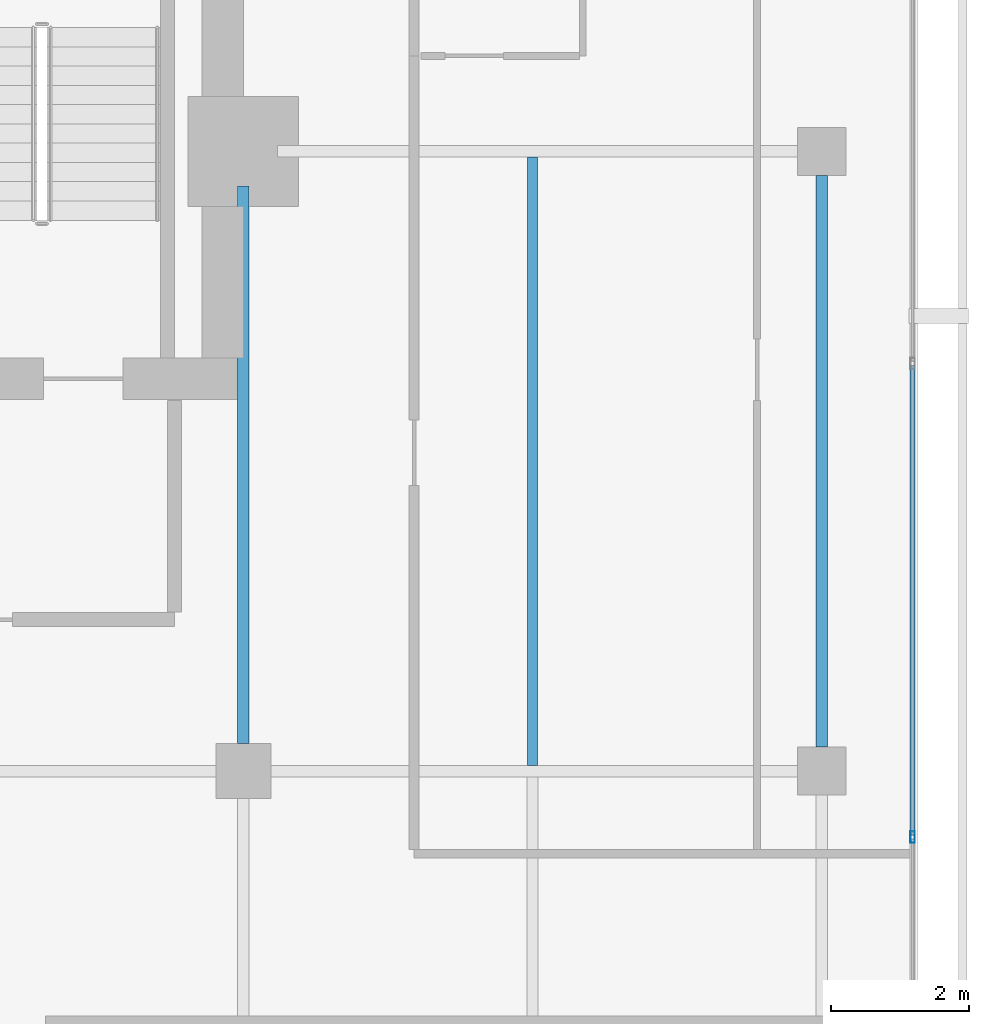
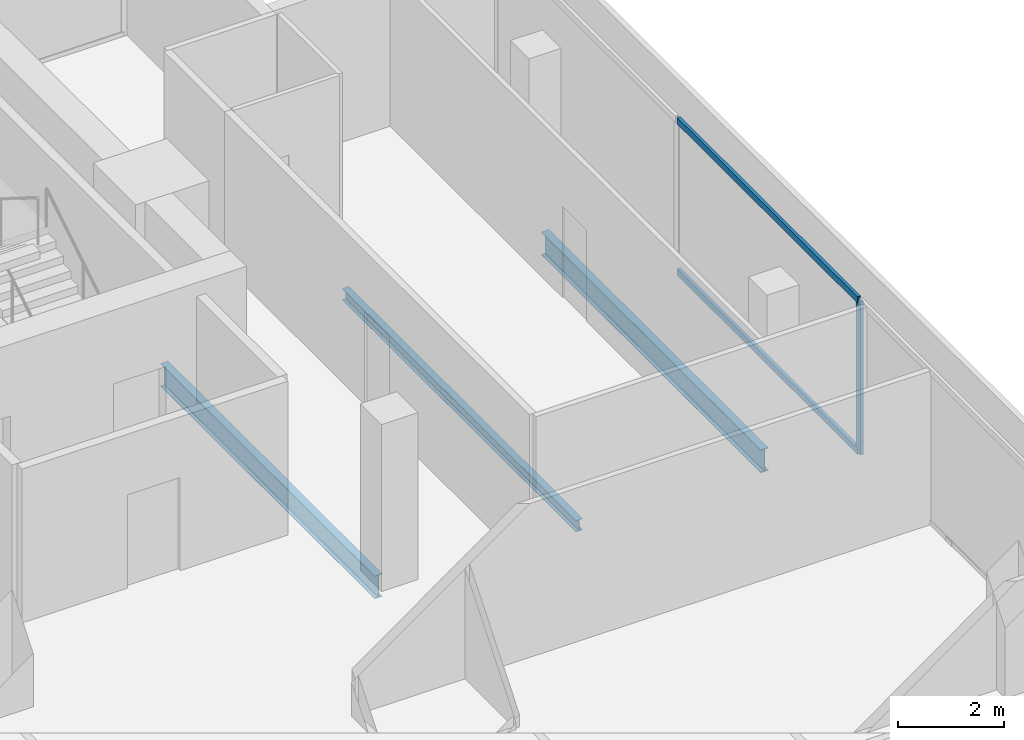
# One storey, part 15 of 26: 3 beams, 3 members, 1 element without a shape of its own.
"""IFC4 building model written with IfcOpenShell, lengths in metres."""

from ifc_helpers import new_model, si_unit, direction, frame, origin, origin_2d, place, context, subcontext, project, spatial, hollow_rectangle, i_section, extrude, material, layer, layer_set, material_profile, profile_set, type_object, element, aggregate, save


model = new_model("IFC4")

# Units and contexts
model_context = context("Model", 3, precision=1e-05, world=origin(), true_north=direction((0.0, 1.0)))
body_context = subcontext(model_context, "Body", "Model", "MODEL_VIEW")
ifc_project = project(units=[si_unit("LENGTHUNIT", "METRE"), si_unit("AREAUNIT", "SQUARE_METRE"), si_unit("VOLUMEUNIT", "CUBIC_METRE"), si_unit("PLANEANGLEUNIT", "RADIAN"), si_unit("MASSUNIT", "GRAM", prefix="KILO")], contexts=[model_context])

# Site, building, storey
site_placement = place(None, origin())
site = spatial("IfcSite", under=ifc_project, at=site_placement, CompositionType="ELEMENT")
building_placement = place(site_placement, origin())
building = spatial("IfcBuilding", under=site, at=building_placement, Name="Maruvema Waterfront Hotel and Observation Tower", CompositionType="ELEMENT")
storey_placement = place(building_placement, frame((0.0, 0.0, 312.550048828125)))
storey = spatial("IfcBuildingStorey", under=building, at=storey_placement, Name="L77", CompositionType="ELEMENT", Elevation=312.550048828125)

# Curtain wall, members
ifc_material_1 = material(Name="Anodised bronze aluminium and solar-control low-E IGU", Category="aluminium")
ifc_layer = layer(ifc_material_1, 0.159912109375, Name="Zone 3 Champagne Inner Thermal Curtain Wall System CW-04")
ifc_layer_set = layer_set([ifc_layer], Name="Anodised bronze aluminium and solar-control low-E IGU")
curtain_wall_type = type_object("IfcCurtainWallType", Name="Zone 3 Champagne Inner Thermal Curtain Wall System CW-04", PredefinedType="USERDEFINED", material=ifc_layer_set)
curtain_wall_placement = place(storey_placement, origin())
curtain_wall = element("IfcCurtainWall", 1, at=curtain_wall_placement, inside=storey, type_object=curtain_wall_type, Name="L77 Curtain Wall CW-L77-E", ObjectType="UNITISED CURTAIN WALL", PredefinedType="USERDEFINED")
ifc_material_2 = material(Name="Anodised architectural bronze aluminium", Category="aluminium")
ifc_material_profile_1 = material_profile(ifc_material_2, hollow_rectangle(XDim=0.070068359375, YDim=0.14990234375, WallThickness=0.00390625, at=origin_2d()), Name="ALU-T70x150")
ifc_profile_set_1 = profile_set([ifc_material_profile_1], Name="Anodised architectural bronze aluminium")
member_type_1 = type_object("IfcMemberType", Name="Curtain Wall Horizontal Transom ALU-T70x150", PredefinedType="USERDEFINED", material=ifc_profile_set_1)
member_1_placement = place(storey_placement, frame((60.1201171875, 35.070068359375, 0.030029296875), z_axis=(0.0, 1.0, 0.0), x_axis=(-1.0, 0.0, 0.0)))
member_1 = element("IfcMember", 2, at=member_1_placement, type_object=member_type_1, Name="CW-04 transom 4.1", ObjectType="TRANSOM", PredefinedType="USERDEFINED", context=body_context, shape_type="SweptSolid", body=[
    extrude(hollow_rectangle(XDim=0.070068359375, YDim=0.14990234375, WallThickness=0.00390625, at=origin_2d()), origin(), (0.0, 0.0, 1.0), 6.81982421875),
])
member_2_placement = place(storey_placement, frame((60.1201171875, 35.070068359375, 3.52001953125), z_axis=(0.0, 1.0, 0.0), x_axis=(-1.0, 0.0, 0.0)))
member_2 = element("IfcMember", 3, at=member_2_placement, type_object=member_type_1, Name="CW-04 transom 4.2", ObjectType="TRANSOM", PredefinedType="USERDEFINED", context=body_context, shape_type="SweptSolid", body=[
    extrude(hollow_rectangle(XDim=0.070068359375, YDim=0.14990234375, WallThickness=0.00390625, at=origin_2d()), origin(), (0.0, 0.0, 1.0), 6.81982421875),
])
ifc_material_3 = material(Name="Anodised architectural bronze aluminium", Category="aluminium")
ifc_material_profile_2 = material_profile(ifc_material_3, hollow_rectangle(XDim=0.06494140625, YDim=0.1650390625, WallThickness=0.00390625, at=origin_2d()), Name="ALU-M65x165")
ifc_profile_set_2 = profile_set([ifc_material_profile_2], Name="Anodised architectural bronze aluminium")
member_type_2 = type_object("IfcMemberType", Name="Curtain Wall Primary Mullion ALU-M65x165", PredefinedType="MULLION", material=ifc_profile_set_2)
member_3_placement = place(storey_placement, frame((60.1201171875, 35.0400390625, 0.0), z_axis=(0.0, 0.0, 1.0), x_axis=(-1.0, 0.0, 0.0)))
member_3 = element("IfcMember", 4, at=member_3_placement, type_object=member_type_2, Name="CW-04 mullion 4", PredefinedType="MULLION", context=body_context, shape_type="SweptSolid", body=[
    extrude(hollow_rectangle(XDim=0.06494140625, YDim=0.1650390625, WallThickness=0.00390625, at=origin_2d()), origin(), (0.0, 0.0, 1.0), 3.550048828125),
])
aggregate(curtain_wall, [member_3, member_1, member_2])

# Beams
ifc_material_4 = material(Name="Steel ASTM A572 Grade 50", Category="steel")
ifc_material_profile_3 = material_profile(ifc_material_4, i_section(OverallWidth=0.166015625, OverallDepth=0.529052734375, WebThickness=0.009765625, FlangeThickness=0.013671875, FilletRadius=0.014892578125, at=origin_2d()), Name="W530x74.0")
ifc_profile_set_3 = profile_set([ifc_material_profile_3], Name="Steel ASTM A572 Grade 50")
beam_type_1 = type_object("IfcBeamType", Name="Primary Floor Girder W530x74.0", PredefinedType="BEAM", material=ifc_profile_set_3)
beam_1_placement = place(storey_placement, frame((50.39990234375, 36.39990234375, -0.504638671875), z_axis=(0.0, 1.0, 0.0), x_axis=(-1.0, 0.0, 0.0)))
element("IfcBeam", 5, at=beam_1_placement, inside=storey, type_object=beam_type_1, Name="L77 Floor Girder NS-15", PredefinedType="BEAM", context=body_context, shape_type="SweptSolid", body=[
    extrude(i_section(OverallWidth=0.166015625, OverallDepth=0.529052734375, WebThickness=0.009765625, FlangeThickness=0.013671875, FilletRadius=0.014892578125, at=origin_2d()), origin(), (0.0, 0.0, 1.0), 8.10009765625),
])
beam_2_placement = place(storey_placement, frame((58.800048828125, 36.35009765625, -0.504638671875), z_axis=(0.0, 1.0, 0.0), x_axis=(-1.0, 0.0, 0.0)))
element("IfcBeam", 6, at=beam_2_placement, inside=storey, type_object=beam_type_1, Name="L77 Floor Girder NS-18", PredefinedType="BEAM", context=body_context, shape_type="SweptSolid", body=[
    extrude(i_section(OverallWidth=0.166015625, OverallDepth=0.529052734375, WebThickness=0.009765625, FlangeThickness=0.013671875, FilletRadius=0.014892578125, at=origin_2d()), origin(), (0.0, 0.0, 1.0), 8.2998046875),
])
ifc_material_5 = material(Name="Steel ASTM A572 Grade 50", Category="steel")
ifc_material_profile_4 = material_profile(ifc_material_5, i_section(OverallWidth=0.14794921875, OverallDepth=0.26611328125, WebThickness=0.007568359375, FlangeThickness=0.012939453125, FilletRadius=0.012939453125, at=origin_2d()), Name="W250x44.8")
ifc_profile_set_4 = profile_set([ifc_material_profile_4], Name="Steel ASTM A572 Grade 50")
beam_type_2 = type_object("IfcBeamType", Name="Secondary Floor Joist W250x44.8", PredefinedType="JOIST", material=ifc_profile_set_4)
beam_3_placement = place(storey_placement, frame((54.60009765625, 36.0830078125, -0.373046875), z_axis=(0.0, 1.0, 0.0), x_axis=(-1.0, 0.0, 0.0)))
element("IfcBeam", 7, at=beam_3_placement, inside=storey, type_object=beam_type_2, Name="L77 Secondary Floor Joist JS-09", PredefinedType="JOIST", context=body_context, shape_type="SweptSolid", body=[
    extrude(i_section(OverallWidth=0.14794921875, OverallDepth=0.26611328125, WebThickness=0.007568359375, FlangeThickness=0.012939453125, FilletRadius=0.012939453125, at=origin_2d()), origin(), (0.0, 0.0, 1.0), 8.833984375),
])

save(model, "model.ifc")
